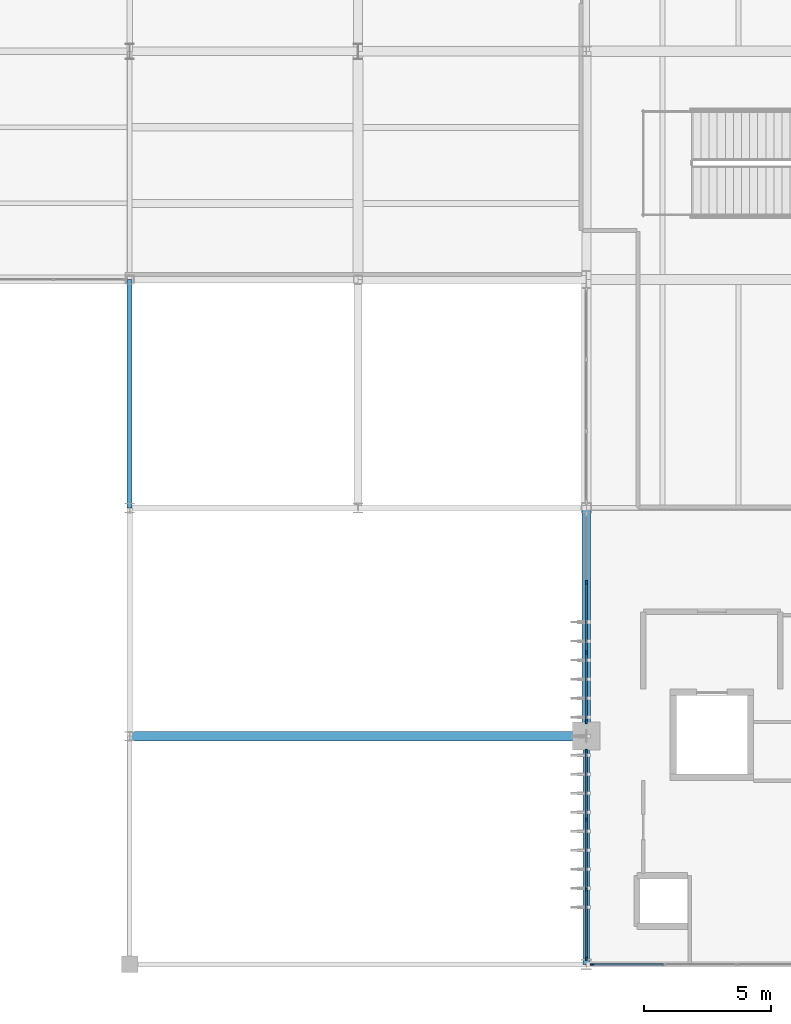
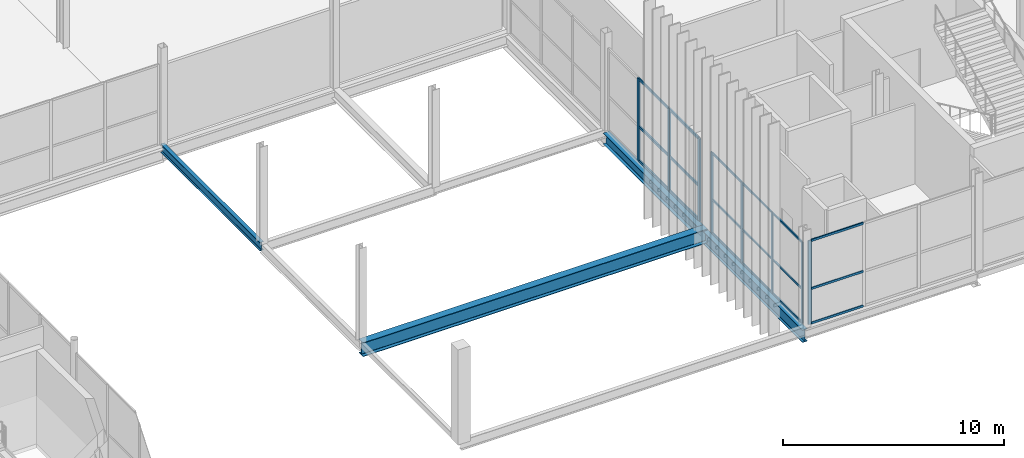
# One storey, part 41 of 119: 26 members, 4 beams, 3 elements without a shape of their own.
"""IFC4 building model written with IfcOpenShell, lengths in metres."""

from ifc_helpers import new_model, si_unit, direction, frame, origin, origin_2d, place, context, subcontext, project, spatial, rectangle, i_section, extrude, material, layer, layer_set, material_profile, profile_set, type_object, element, aggregate, save


model = new_model("IFC4")

# Units and contexts
model_context = context("Model", 3, precision=1e-05, world=origin(), true_north=direction((0.0, 1.0)))
body_context = subcontext(model_context, "Body", "Model", "MODEL_VIEW")
ifc_project = project(units=[si_unit("LENGTHUNIT", "METRE"), si_unit("AREAUNIT", "SQUARE_METRE"), si_unit("VOLUMEUNIT", "CUBIC_METRE"), si_unit("PLANEANGLEUNIT", "RADIAN"), si_unit("MASSUNIT", "GRAM", prefix="KILO")], contexts=[model_context])

# Site, building, storey
site_placement = place(None, origin())
site = spatial("IfcSite", under=ifc_project, at=site_placement, CompositionType="ELEMENT")
building_placement = place(site_placement, origin())
building = spatial("IfcBuilding", under=site, at=building_placement, Name="Qamarlyn Nura Convention Centre", CompositionType="ELEMENT")
storey_placement = place(building_placement, frame((0.0, 0.0, 5.39990234375)))
storey = spatial("IfcBuildingStorey", under=building, at=storey_placement, Name="L01", CompositionType="ELEMENT", Elevation=5.39990234375)

# Beams
ifc_material_1 = material(Name="Steel ASTM A992", Category="steel")
ifc_material_profile_1 = material_profile(ifc_material_1, i_section(OverallWidth=0.323974609375, OverallDepth=0.611083984375, WebThickness=0.0126953125, FlangeThickness=0.01904296875, FilletRadius=0.01611328125, at=origin_2d()), Name="W610X155")
ifc_profile_set_1 = profile_set([ifc_material_profile_1], Name="Steel ASTM A992")
beam_type_1 = type_object("IfcBeamType", Name="BM-GIRD-610", PredefinedType="BEAM", material=ifc_profile_set_1)
beam_1_placement = place(storey_placement, frame((153.0, 9.0, -0.525390625), z_axis=(0.0, 1.0, 0.0), x_axis=(-1.0, 0.0, 0.0)))
element("IfcBeam", 1, at=beam_1_placement, inside=storey, type_object=beam_type_1, Name="L01 girder 13 B-C", PredefinedType="BEAM", context=body_context, shape_type="SweptSolid", body=[
    extrude(i_section(OverallWidth=0.323974609375, OverallDepth=0.611083984375, WebThickness=0.0126953125, FlangeThickness=0.01904296875, FilletRadius=0.01611328125, at=origin_2d()), origin(), (0.0, 0.0, 1.0), 9.0),
])
ifc_material_profile_2 = material_profile(ifc_material_1, i_section(OverallWidth=0.25390625, OverallDepth=0.68408203125, WebThickness=0.012451171875, FlangeThickness=0.01904296875, FilletRadius=0.01806640625, at=origin_2d()), Name="W690X140")
ifc_profile_set_2 = profile_set([ifc_material_profile_2], Name="Steel ASTM A992")
beam_type_2 = type_object("IfcBeamType", Name="BM-GIRD-690B", PredefinedType="BEAM", material=ifc_profile_set_2)
beam_2_placement = place(storey_placement, frame((153.0, 0.0, -0.56201171875), z_axis=(0.0, 1.0, 0.0), x_axis=(-1.0, 0.0, 0.0)))
element("IfcBeam", 2, at=beam_2_placement, inside=storey, type_object=beam_type_2, Name="L01 girder 13 A-B", PredefinedType="BEAM", context=body_context, shape_type="SweptSolid", body=[
    extrude(i_section(OverallWidth=0.25390625, OverallDepth=0.68408203125, WebThickness=0.012451171875, FlangeThickness=0.01904296875, FilletRadius=0.01806640625, at=origin_2d()), origin(), (0.0, 0.0, 1.0), 9.0),
])
ifc_material_profile_3 = material_profile(ifc_material_1, i_section(OverallWidth=0.381103515625, OverallDepth=0.77294921875, WebThickness=0.0166015625, FlangeThickness=0.027587890625, FilletRadius=0.02001953125, at=origin_2d()), Name="W760X257")
ifc_profile_set_3 = profile_set([ifc_material_profile_3], Name="Steel ASTM A992")
beam_type_3 = type_object("IfcBeamType", Name="BM-GIRD-760", PredefinedType="BEAM", material=ifc_profile_set_3)
beam_3_placement = place(storey_placement, frame((135.0, 9.0, -0.386474609375), z_axis=(1.0, 0.0, 0.0), x_axis=(0.0, 1.0, 0.0)))
element("IfcBeam", 3, at=beam_3_placement, inside=storey, type_object=beam_type_3, Name="L01 girder B 11-13", PredefinedType="BEAM", context=body_context, shape_type="SweptSolid", body=[
    extrude(i_section(OverallWidth=0.381103515625, OverallDepth=0.77294921875, WebThickness=0.0166015625, FlangeThickness=0.027587890625, FilletRadius=0.02001953125, at=origin_2d()), origin(), (0.0, 0.0, 1.0), 18.0),
])
ifc_material_profile_4 = material_profile(ifc_material_1, i_section(OverallWidth=0.193115234375, OverallDepth=0.466064453125, WebThickness=0.011474609375, FlangeThickness=0.01904296875, FilletRadius=0.012939453125, at=origin_2d()), Name="W460X97")
ifc_profile_set_4 = profile_set([ifc_material_profile_4], Name="Steel ASTM A992")
beam_type_4 = type_object("IfcBeamType", Name="BM-SPAN-460", PredefinedType="SPANDREL", material=ifc_profile_set_4)
beam_4_placement = place(storey_placement, frame((135.0, 18.0, -0.23291015625), z_axis=(0.0, 1.0, 0.0), x_axis=(-1.0, 0.0, 0.0)))
element("IfcBeam", 4, at=beam_4_placement, inside=storey, type_object=beam_type_4, Name="L01 girder 11 C-D", PredefinedType="SPANDREL", context=body_context, shape_type="SweptSolid", body=[
    extrude(i_section(OverallWidth=0.193115234375, OverallDepth=0.466064453125, WebThickness=0.011474609375, FlangeThickness=0.01904296875, FilletRadius=0.012939453125, at=origin_2d()), origin(), (0.0, 0.0, 1.0), 9.0),
])

# Curtain wall, members
ifc_material_2 = material(Name="Double-silver low-E insulated glass", Category="glass")
ifc_layer_1 = layer(ifc_material_2, 0.179931640625, Name="CW-UNIT-63")
ifc_layer_set_1 = layer_set([ifc_layer_1], Name="Double-silver low-E insulated glass")
curtain_wall_type_1 = type_object("IfcCurtainWallType", Name="CW-UNIT-63", PredefinedType="NOTDEFINED", material=ifc_layer_set_1)
curtain_wall_1_placement = place(storey_placement, origin())
curtain_wall_1 = element("IfcCurtainWall", 5, at=curtain_wall_1_placement, inside=storey, type_object=curtain_wall_type_1, Name="L01 unitised curtain wall FCW-0-1", PredefinedType="NOTDEFINED")
ifc_material_3 = material(Name="Champagne-anodised marine aluminium", Category="aluminium")
ifc_material_profile_5 = material_profile(ifc_material_3, rectangle(XDim=0.06005859375, YDim=0.139892578125, at=origin_2d()), Name="ALU MULLION 60x140")
ifc_profile_set_5 = profile_set([ifc_material_profile_5], Name="Champagne-anodised marine aluminium")
member_type_1 = type_object("IfcMemberType", Name="CWM-140", PredefinedType="MULLION", material=ifc_profile_set_5)
member_1_placement = place(storey_placement, frame((153.0, 0.242431640625, 0.0), z_axis=(0.0, 0.0, 1.0), x_axis=(-1.0, 0.0, 0.0)))
member_1 = element("IfcMember", 6, at=member_1_placement, type_object=member_type_1, Name="CW63 mullion 1", PredefinedType="MULLION", context=body_context, shape_type="SweptSolid", body=[
    extrude(rectangle(XDim=0.06005859375, YDim=0.139892578125, at=origin_2d()), origin(), (0.0, 0.0, 1.0), 4.481201171875),
])
member_2_placement = place(storey_placement, frame((153.0, 2.958251953125, 0.0), z_axis=(0.0, 0.0, 1.0), x_axis=(-1.0, 0.0, 0.0)))
member_2 = element("IfcMember", 7, at=member_2_placement, type_object=member_type_1, Name="CW63 mullion 2", PredefinedType="MULLION", context=body_context, shape_type="SweptSolid", body=[
    extrude(rectangle(XDim=0.06005859375, YDim=0.139892578125, at=origin_2d()), origin(), (0.0, 0.0, 1.0), 4.481201171875),
])
member_3_placement = place(storey_placement, frame((153.0, 5.7041015625, 0.0), z_axis=(0.0, 0.0, 1.0), x_axis=(-1.0, 0.0, 0.0)))
member_3 = element("IfcMember", 8, at=member_3_placement, type_object=member_type_1, Name="CW63 mullion 3", PredefinedType="MULLION", context=body_context, shape_type="SweptSolid", body=[
    extrude(rectangle(XDim=0.06005859375, YDim=0.139892578125, at=origin_2d()), origin(), (0.0, 0.0, 1.0), 4.481201171875),
])
member_4_placement = place(storey_placement, frame((153.0, 8.419921875, 0.0), z_axis=(0.0, 0.0, 1.0), x_axis=(-1.0, 0.0, 0.0)))
member_4 = element("IfcMember", 9, at=member_4_placement, type_object=member_type_1, Name="CW63 mullion 4", PredefinedType="MULLION", context=body_context, shape_type="SweptSolid", body=[
    extrude(rectangle(XDim=0.06005859375, YDim=0.139892578125, at=origin_2d()), origin(), (0.0, 0.0, 1.0), 4.481201171875),
])

# Curtain wall, member
ifc_layer_2 = layer(ifc_material_2, 0.179931640625, Name="CW-UNIT-76")
ifc_layer_set_2 = layer_set([ifc_layer_2], Name="Double-silver low-E insulated glass")
curtain_wall_type_2 = type_object("IfcCurtainWallType", Name="CW-UNIT-76", PredefinedType="NOTDEFINED", material=ifc_layer_set_2)
curtain_wall_2_placement = place(storey_placement, origin())
curtain_wall_2 = element("IfcCurtainWall", 10, at=curtain_wall_2_placement, inside=storey, type_object=curtain_wall_type_2, Name="L01 unitised curtain wall STH-1-1", PredefinedType="NOTDEFINED")
ifc_material_profile_6 = material_profile(ifc_material_3, rectangle(XDim=0.06494140625, YDim=0.159912109375, at=origin_2d()), Name="ALU MULLION 65x160")
ifc_profile_set_6 = profile_set([ifc_material_profile_6], Name="Champagne-anodised marine aluminium")
member_type_2 = type_object("IfcMemberType", Name="CWM-160", PredefinedType="MULLION", material=ifc_profile_set_6)
member_5_placement = place(storey_placement, frame((153.237060546875, 0.0, 0.0), z_axis=(0.0, 0.0, 1.0), x_axis=(0.0, -1.0, 0.0)))
member_5 = element("IfcMember", 11, at=member_5_placement, type_object=member_type_2, Name="CW76 mullion 4", PredefinedType="MULLION", context=body_context, shape_type="SweptSolid", body=[
    extrude(rectangle(XDim=0.06494140625, YDim=0.159912109375, at=origin_2d()), origin(), (0.0, 0.0, 1.0), 4.6259765625),
])

# Curtain wall, members
ifc_layer_3 = layer(ifc_material_2, 0.179931640625, Name="CW-UNIT-80")
ifc_layer_set_3 = layer_set([ifc_layer_3], Name="Double-silver low-E insulated glass")
curtain_wall_type_3 = type_object("IfcCurtainWallType", Name="CW-UNIT-80", PredefinedType="NOTDEFINED", material=ifc_layer_set_3)
curtain_wall_3_placement = place(storey_placement, origin())
curtain_wall_3 = element("IfcCurtainWall", 12, at=curtain_wall_3_placement, inside=storey, type_object=curtain_wall_type_3, Name="L01 unitised curtain wall FCW-9-1", PredefinedType="NOTDEFINED")
ifc_material_profile_7 = material_profile(ifc_material_3, rectangle(XDim=0.070068359375, YDim=0.179931640625, at=origin_2d()), Name="ALU MULLION 70x180")
ifc_profile_set_7 = profile_set([ifc_material_profile_7], Name="Champagne-anodised marine aluminium")
member_type_3 = type_object("IfcMemberType", Name="CWM-180", PredefinedType="MULLION", material=ifc_profile_set_7)
member_6_placement = place(storey_placement, frame((153.0, 9.5849609375, 0.0), z_axis=(0.0, 0.0, 1.0), x_axis=(-1.0, 0.0, 0.0)))
member_6 = element("IfcMember", 13, at=member_6_placement, type_object=member_type_3, Name="CW80 mullion 1", PredefinedType="MULLION", context=body_context, shape_type="SweptSolid", body=[
    extrude(rectangle(XDim=0.070068359375, YDim=0.179931640625, at=origin_2d()), origin(), (0.0, 0.0, 1.0), 4.55419921875),
])
member_7_placement = place(storey_placement, frame((153.0, 12.300048828125, 0.0), z_axis=(0.0, 0.0, 1.0), x_axis=(-1.0, 0.0, 0.0)))
member_7 = element("IfcMember", 14, at=member_7_placement, type_object=member_type_3, Name="CW80 mullion 2", PredefinedType="MULLION", context=body_context, shape_type="SweptSolid", body=[
    extrude(rectangle(XDim=0.070068359375, YDim=0.179931640625, at=origin_2d()), origin(), (0.0, 0.0, 1.0), 4.55419921875),
])
member_8_placement = place(storey_placement, frame((153.0, 15.050048828125, 0.0), z_axis=(0.0, 0.0, 1.0), x_axis=(-1.0, 0.0, 0.0)))
member_8 = element("IfcMember", 15, at=member_8_placement, type_object=member_type_3, Name="CW80 mullion 3", PredefinedType="MULLION", context=body_context, shape_type="SweptSolid", body=[
    extrude(rectangle(XDim=0.070068359375, YDim=0.179931640625, at=origin_2d()), origin(), (0.0, 0.0, 1.0), 4.55419921875),
])

# Member
ifc_material_profile_8 = material_profile(ifc_material_3, rectangle(XDim=0.06005859375, YDim=0.10009765625, at=origin_2d()), Name="ALU TRANSOM 60x100")
ifc_profile_set_8 = profile_set([ifc_material_profile_8], Name="Champagne-anodised marine aluminium")
member_type_4 = type_object("IfcMemberType", Name="CWT-100", PredefinedType="USERDEFINED", material=ifc_profile_set_8)
member_9_placement = place(storey_placement, frame((153.0, 0.2724609375, 0.030029296875), z_axis=(0.0, 1.0, 0.0), x_axis=(-1.0, 0.0, 0.0)))
member_9 = element("IfcMember", 16, at=member_9_placement, type_object=member_type_4, Name="CW63 transom 1.1", ObjectType="TRANSOM", PredefinedType="USERDEFINED", context=body_context, shape_type="SweptSolid", body=[
    extrude(rectangle(XDim=0.06005859375, YDim=0.10009765625, at=origin_2d()), origin(), (0.0, 0.0, 1.0), 2.65576171875),
])

member_10_placement = place(storey_placement, frame((153.0, 0.2724609375, 1.882080078125), z_axis=(0.0, 1.0, 0.0), x_axis=(-1.0, 0.0, 0.0)))
member_10 = element("IfcMember", 17, at=member_10_placement, type_object=member_type_4, Name="CW63 transom 1.2", ObjectType="TRANSOM", PredefinedType="USERDEFINED", context=body_context, shape_type="SweptSolid", body=[
    extrude(rectangle(XDim=0.06005859375, YDim=0.10009765625, at=origin_2d()), origin(), (0.0, 0.0, 1.0), 2.65576171875),
])

member_11_placement = place(storey_placement, frame((153.0, 0.2724609375, 4.451171875), z_axis=(0.0, 1.0, 0.0), x_axis=(-1.0, 0.0, 0.0)))
member_11 = element("IfcMember", 18, at=member_11_placement, type_object=member_type_4, Name="CW63 transom 1.3", ObjectType="TRANSOM", PredefinedType="USERDEFINED", context=body_context, shape_type="SweptSolid", body=[
    extrude(rectangle(XDim=0.06005859375, YDim=0.10009765625, at=origin_2d()), origin(), (0.0, 0.0, 1.0), 2.65576171875),
])

member_12_placement = place(storey_placement, frame((153.0, 2.98828125, 0.030029296875), z_axis=(0.0, 1.0, 0.0), x_axis=(-1.0, 0.0, 0.0)))
member_12 = element("IfcMember", 19, at=member_12_placement, type_object=member_type_4, Name="CW63 transom 2.1", ObjectType="TRANSOM", PredefinedType="USERDEFINED", context=body_context, shape_type="SweptSolid", body=[
    extrude(rectangle(XDim=0.06005859375, YDim=0.10009765625, at=origin_2d()), origin(), (0.0, 0.0, 1.0), 2.685791015625),
])

member_13_placement = place(storey_placement, frame((153.0, 2.98828125, 1.882080078125), z_axis=(0.0, 1.0, 0.0), x_axis=(-1.0, 0.0, 0.0)))
member_13 = element("IfcMember", 20, at=member_13_placement, type_object=member_type_4, Name="CW63 transom 2.2", ObjectType="TRANSOM", PredefinedType="USERDEFINED", context=body_context, shape_type="SweptSolid", body=[
    extrude(rectangle(XDim=0.06005859375, YDim=0.10009765625, at=origin_2d()), origin(), (0.0, 0.0, 1.0), 2.685791015625),
])

member_14_placement = place(storey_placement, frame((153.0, 2.98828125, 4.451171875), z_axis=(0.0, 1.0, 0.0), x_axis=(-1.0, 0.0, 0.0)))
member_14 = element("IfcMember", 21, at=member_14_placement, type_object=member_type_4, Name="CW63 transom 2.3", ObjectType="TRANSOM", PredefinedType="USERDEFINED", context=body_context, shape_type="SweptSolid", body=[
    extrude(rectangle(XDim=0.06005859375, YDim=0.10009765625, at=origin_2d()), origin(), (0.0, 0.0, 1.0), 2.685791015625),
])

member_15_placement = place(storey_placement, frame((153.0, 5.734130859375, 0.030029296875), z_axis=(0.0, 1.0, 0.0), x_axis=(-1.0, 0.0, 0.0)))
member_15 = element("IfcMember", 22, at=member_15_placement, type_object=member_type_4, Name="CW63 transom 3.1", ObjectType="TRANSOM", PredefinedType="USERDEFINED", context=body_context, shape_type="SweptSolid", body=[
    extrude(rectangle(XDim=0.06005859375, YDim=0.10009765625, at=origin_2d()), origin(), (0.0, 0.0, 1.0), 2.65576171875),
])

member_16_placement = place(storey_placement, frame((153.0, 5.734130859375, 1.882080078125), z_axis=(0.0, 1.0, 0.0), x_axis=(-1.0, 0.0, 0.0)))
member_16 = element("IfcMember", 23, at=member_16_placement, type_object=member_type_4, Name="CW63 transom 3.2", ObjectType="TRANSOM", PredefinedType="USERDEFINED", context=body_context, shape_type="SweptSolid", body=[
    extrude(rectangle(XDim=0.06005859375, YDim=0.10009765625, at=origin_2d()), origin(), (0.0, 0.0, 1.0), 2.65576171875),
])

member_17_placement = place(storey_placement, frame((153.0, 5.734130859375, 4.451171875), z_axis=(0.0, 1.0, 0.0), x_axis=(-1.0, 0.0, 0.0)))
member_17 = element("IfcMember", 24, at=member_17_placement, type_object=member_type_4, Name="CW63 transom 3.3", ObjectType="TRANSOM", PredefinedType="USERDEFINED", context=body_context, shape_type="SweptSolid", body=[
    extrude(rectangle(XDim=0.06005859375, YDim=0.10009765625, at=origin_2d()), origin(), (0.0, 0.0, 1.0), 2.65576171875),
])

aggregate(curtain_wall_1, [member_1, member_2, member_3, member_4, member_9, member_10, member_11, member_12, member_13, member_14, member_15, member_16, member_17])

ifc_material_profile_9 = material_profile(ifc_material_3, rectangle(XDim=0.06494140625, YDim=0.1201171875, at=origin_2d()), Name="ALU TRANSOM 65x120")
ifc_profile_set_9 = profile_set([ifc_material_profile_9], Name="Champagne-anodised marine aluminium")
member_type_5 = type_object("IfcMemberType", Name="CWT-120", PredefinedType="USERDEFINED", material=ifc_profile_set_9)
member_18_placement = place(storey_placement, frame((156.037353515625, 0.0, 0.03271484375), z_axis=(-1.0, 0.0, 0.0), x_axis=(0.0, -1.0, 0.0)))
member_18 = element("IfcMember", 25, at=member_18_placement, type_object=member_type_5, Name="CW76 transom 3.1", ObjectType="TRANSOM", PredefinedType="USERDEFINED", context=body_context, shape_type="SweptSolid", body=[
    extrude(rectangle(XDim=0.06494140625, YDim=0.1201171875, at=origin_2d()), origin(), (0.0, 0.0, 1.0), 2.767822265625),
])

member_19_placement = place(storey_placement, frame((156.037353515625, 0.0, 1.943115234375), z_axis=(-1.0, 0.0, 0.0), x_axis=(0.0, -1.0, 0.0)))
member_19 = element("IfcMember", 26, at=member_19_placement, type_object=member_type_5, Name="CW76 transom 3.2", ObjectType="TRANSOM", PredefinedType="USERDEFINED", context=body_context, shape_type="SweptSolid", body=[
    extrude(rectangle(XDim=0.06494140625, YDim=0.1201171875, at=origin_2d()), origin(), (0.0, 0.0, 1.0), 2.767822265625),
])

member_20_placement = place(storey_placement, frame((156.037353515625, 0.0, 4.593505859375), z_axis=(-1.0, 0.0, 0.0), x_axis=(0.0, -1.0, 0.0)))
member_20 = element("IfcMember", 27, at=member_20_placement, type_object=member_type_5, Name="CW76 transom 3.3", ObjectType="TRANSOM", PredefinedType="USERDEFINED", context=body_context, shape_type="SweptSolid", body=[
    extrude(rectangle(XDim=0.06494140625, YDim=0.1201171875, at=origin_2d()), origin(), (0.0, 0.0, 1.0), 2.767822265625),
])

aggregate(curtain_wall_2, [member_5, member_18, member_19, member_20])

ifc_material_profile_10 = material_profile(ifc_material_3, rectangle(XDim=0.070068359375, YDim=0.139892578125, at=origin_2d()), Name="ALU TRANSOM 70x140")
ifc_profile_set_10 = profile_set([ifc_material_profile_10], Name="Champagne-anodised marine aluminium")
member_type_6 = type_object("IfcMemberType", Name="CWT-140", PredefinedType="USERDEFINED", material=ifc_profile_set_10)
member_21_placement = place(storey_placement, frame((153.0, 9.6201171875, 0.03515625), z_axis=(0.0, 1.0, 0.0), x_axis=(-1.0, 0.0, 0.0)))
member_21 = element("IfcMember", 28, at=member_21_placement, type_object=member_type_6, Name="CW80 transom 1.1", ObjectType="TRANSOM", PredefinedType="USERDEFINED", context=body_context, shape_type="SweptSolid", body=[
    extrude(rectangle(XDim=0.070068359375, YDim=0.139892578125, at=origin_2d()), origin(), (0.0, 0.0, 1.0), 2.644775390625),
])

member_22_placement = place(storey_placement, frame((153.0, 9.6201171875, 1.9130859375), z_axis=(0.0, 1.0, 0.0), x_axis=(-1.0, 0.0, 0.0)))
member_22 = element("IfcMember", 29, at=member_22_placement, type_object=member_type_6, Name="CW80 transom 1.2", ObjectType="TRANSOM", PredefinedType="USERDEFINED", context=body_context, shape_type="SweptSolid", body=[
    extrude(rectangle(XDim=0.070068359375, YDim=0.139892578125, at=origin_2d()), origin(), (0.0, 0.0, 1.0), 2.644775390625),
])

member_23_placement = place(storey_placement, frame((153.0, 9.6201171875, 4.51904296875), z_axis=(0.0, 1.0, 0.0), x_axis=(-1.0, 0.0, 0.0)))
member_23 = element("IfcMember", 30, at=member_23_placement, type_object=member_type_6, Name="CW80 transom 1.3", ObjectType="TRANSOM", PredefinedType="USERDEFINED", context=body_context, shape_type="SweptSolid", body=[
    extrude(rectangle(XDim=0.070068359375, YDim=0.139892578125, at=origin_2d()), origin(), (0.0, 0.0, 1.0), 2.644775390625),
])

member_24_placement = place(storey_placement, frame((153.0, 12.3349609375, 0.03515625), z_axis=(0.0, 1.0, 0.0), x_axis=(-1.0, 0.0, 0.0)))
member_24 = element("IfcMember", 31, at=member_24_placement, type_object=member_type_6, Name="CW80 transom 2.1", ObjectType="TRANSOM", PredefinedType="USERDEFINED", context=body_context, shape_type="SweptSolid", body=[
    extrude(rectangle(XDim=0.070068359375, YDim=0.139892578125, at=origin_2d()), origin(), (0.0, 0.0, 1.0), 2.679931640625),
])

member_25_placement = place(storey_placement, frame((153.0, 12.3349609375, 1.9130859375), z_axis=(0.0, 1.0, 0.0), x_axis=(-1.0, 0.0, 0.0)))
member_25 = element("IfcMember", 32, at=member_25_placement, type_object=member_type_6, Name="CW80 transom 2.2", ObjectType="TRANSOM", PredefinedType="USERDEFINED", context=body_context, shape_type="SweptSolid", body=[
    extrude(rectangle(XDim=0.070068359375, YDim=0.139892578125, at=origin_2d()), origin(), (0.0, 0.0, 1.0), 2.679931640625),
])

member_26_placement = place(storey_placement, frame((153.0, 12.3349609375, 4.51904296875), z_axis=(0.0, 1.0, 0.0), x_axis=(-1.0, 0.0, 0.0)))
member_26 = element("IfcMember", 33, at=member_26_placement, type_object=member_type_6, Name="CW80 transom 2.3", ObjectType="TRANSOM", PredefinedType="USERDEFINED", context=body_context, shape_type="SweptSolid", body=[
    extrude(rectangle(XDim=0.070068359375, YDim=0.139892578125, at=origin_2d()), origin(), (0.0, 0.0, 1.0), 2.679931640625),
])

aggregate(curtain_wall_3, [member_6, member_7, member_8, member_21, member_22, member_23, member_24, member_25, member_26])

save(model, "model.ifc")
